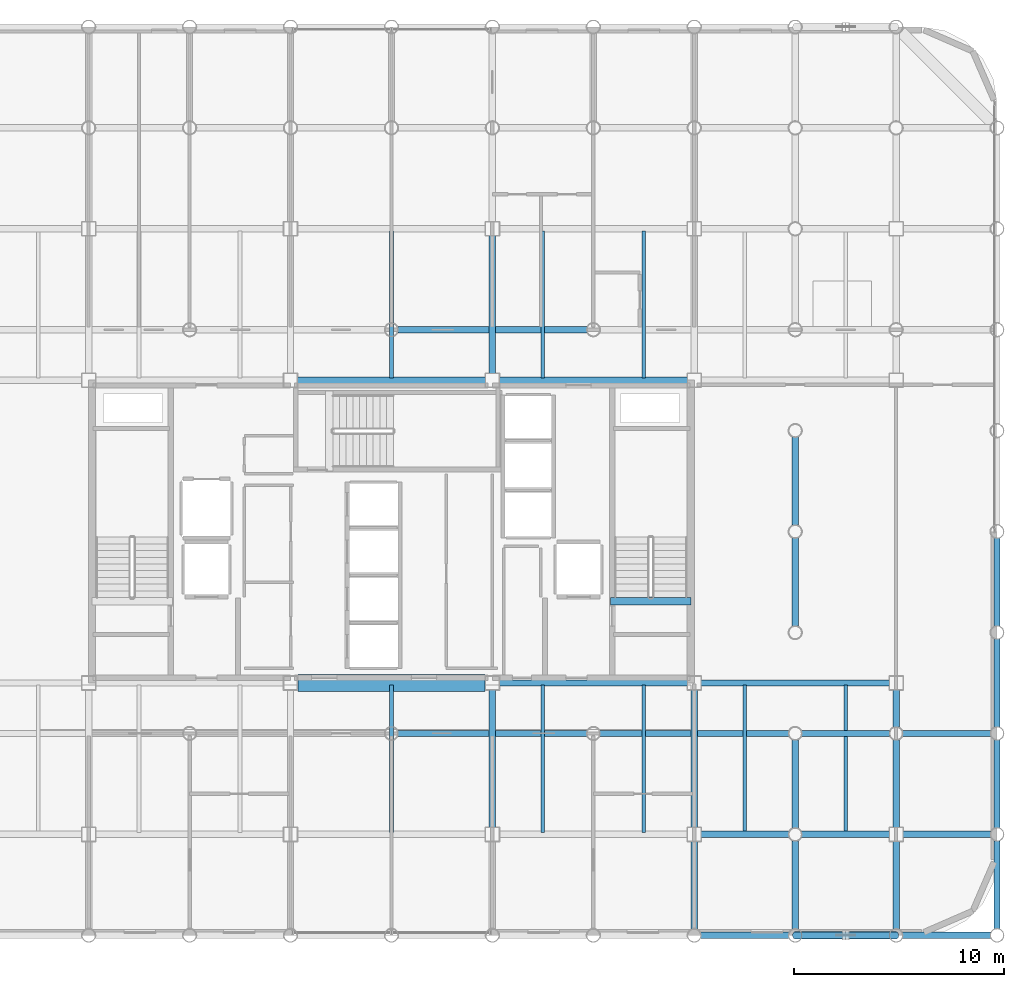
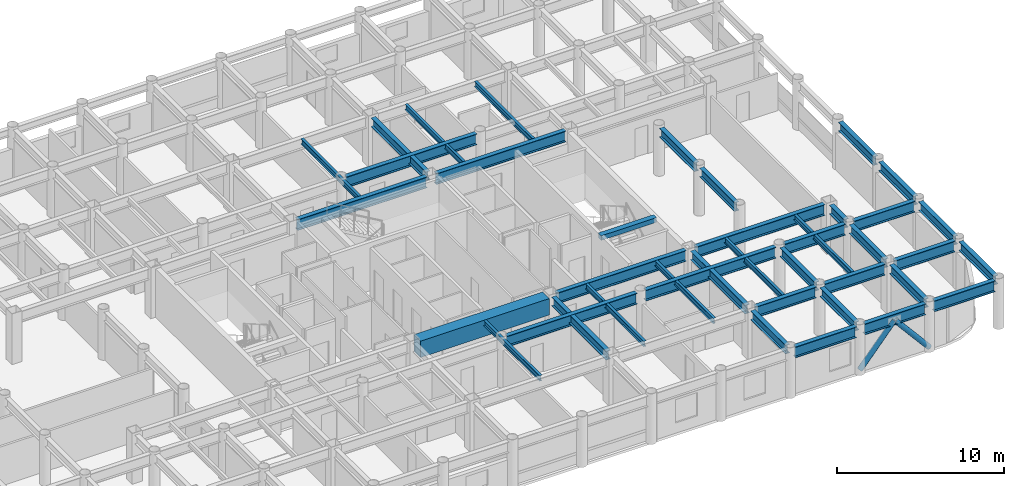
# One storey, part 7 of 21: 40 beams, 2 members.
"""IFC4 building model written with IfcOpenShell, lengths in metres."""

from ifc_helpers import new_model, si_unit, direction, frame, origin, origin_2d, place, context, subcontext, project, spatial, rectangle, hollow_circle, i_section, extrude, material, material_profile, profile_set, type_object, element, save


model = new_model("IFC4")

# Units and contexts
model_context = context("Model", 3, precision=1e-05, world=origin(), true_north=direction((0.0, 1.0)))
body_context = subcontext(model_context, "Body", "Model", "MODEL_VIEW")
ifc_project = project(units=[si_unit("LENGTHUNIT", "METRE"), si_unit("AREAUNIT", "SQUARE_METRE"), si_unit("VOLUMEUNIT", "CUBIC_METRE"), si_unit("PLANEANGLEUNIT", "RADIAN"), si_unit("MASSUNIT", "GRAM", prefix="KILO")], contexts=[model_context])

# Site, building, storey
site_placement = place(None, origin())
site = spatial("IfcSite", under=ifc_project, at=site_placement, CompositionType="ELEMENT")
building_placement = place(site_placement, origin())
building = spatial("IfcBuilding", under=site, at=building_placement, Name="Kallvorn Hotel Tower", CompositionType="ELEMENT")
storey_placement = place(building_placement, frame((0.0, 0.0, 139.60009765625)))
storey = spatial("IfcBuildingStorey", under=building, at=storey_placement, Name="L34", CompositionType="ELEMENT", Elevation=139.60009765625)

# Beams
ifc_material_1 = material(Name="Structural steel S355JR", Category="steel")
ifc_material_profile_1 = material_profile(ifc_material_1, i_section(OverallWidth=0.300048828125, OverallDepth=0.64990234375, WebThickness=0.01611328125, FlangeThickness=0.031005859375, at=origin_2d()), Name="HE 650 B")
ifc_profile_set_1 = profile_set([ifc_material_profile_1], Name="Structural steel S355JR")
beam_type_1 = type_object("IfcBeamType", Name="BM_HE650B", PredefinedType="BEAM", material=ifc_profile_set_1)
for number, where, z_axis, x_axis, name in (
    (1, (4.800048828125, -14.074951171875, 3.19482421875), (0.0, 1.0, 0.0), (-1.0, 0.0, 0.0), "L35 Primary Y-Girder 115"),
    (2, (4.800048828125, 7.52490234375, 3.19482421875), (0.0, 1.0, 0.0), (-1.0, 0.0, 0.0), "L35 Primary Y-Girder 116"),
):
    element("IfcBeam", number, at=place(storey_placement, frame(where, z_axis=z_axis, x_axis=x_axis)), inside=storey, type_object=beam_type_1, Name=name, PredefinedType="BEAM", context=body_context, shape_type="SweptSolid", body=[
        extrude(i_section(OverallWidth=0.300048828125, OverallDepth=0.64990234375, WebThickness=0.01611328125, FlangeThickness=0.031005859375, at=origin_2d()), origin(), (0.0, 0.0, 1.0), 6.550048828125),
    ])
beam_1_placement = place(storey_placement, frame((14.39990234375, -18.89501953125, 3.19482421875), z_axis=(0.0, 1.0, 0.0), x_axis=(-1.0, 0.0, 0.0)))
element("IfcBeam", 3, at=beam_1_placement, inside=storey, type_object=beam_type_1, Name="L35 Primary Y-Girder 122", PredefinedType="BEAM", context=body_context, shape_type="SweptSolid", body=[
    extrude(i_section(OverallWidth=0.300048828125, OverallDepth=0.64990234375, WebThickness=0.01611328125, FlangeThickness=0.031005859375, at=origin_2d()), origin(), (0.0, 0.0, 1.0), 4.169921875),
])
beam_2_placement = place(storey_placement, frame((14.39990234375, -14.074951171875, 3.19482421875), z_axis=(0.0, 1.0, 0.0), x_axis=(-1.0, 0.0, 0.0)))
element("IfcBeam", 4, at=beam_2_placement, inside=storey, type_object=beam_type_1, Name="L35 Primary Y-Girder 123", PredefinedType="BEAM", context=body_context, shape_type="SweptSolid", body=[
    extrude(i_section(OverallWidth=0.300048828125, OverallDepth=0.64990234375, WebThickness=0.01611328125, FlangeThickness=0.031005859375, at=origin_2d()), origin(), (0.0, 0.0, 1.0), 6.550048828125),
])
for number, where, z_axis, x_axis, name in (
    (5, (19.199951171875, -18.89501953125, 3.19482421875), (0.0, 1.0, 0.0), (-1.0, 0.0, 0.0), "L35 Primary Y-Girder 127"),
    (6, (19.199951171875, -14.094970703125, 3.19482421875), (0.0, 1.0, 0.0), (-1.0, 0.0, 0.0), "L35 Primary Y-Girder 128"),
):
    element("IfcBeam", number, at=place(storey_placement, frame(where, z_axis=z_axis, x_axis=x_axis)), inside=storey, type_object=beam_type_1, Name=name, PredefinedType="BEAM", context=body_context, shape_type="SweptSolid", body=[
        extrude(i_section(OverallWidth=0.300048828125, OverallDepth=0.64990234375, WebThickness=0.01611328125, FlangeThickness=0.031005859375, at=origin_2d()), origin(), (0.0, 0.0, 1.0), 4.18994140625),
    ])
for number, where, z_axis, x_axis, name in (
    (7, (19.199951171875, -4.4951171875, 3.19482421875), (0.0, 1.0, 0.0), (-1.0, 0.0, 0.0), "L35 Primary Y-Girder 130"),
    (8, (19.199951171875, 0.304931640625, 3.19482421875), (0.0, 1.0, 0.0), (-1.0, 0.0, 0.0), "L35 Primary Y-Girder 131"),
):
    element("IfcBeam", number, at=place(storey_placement, frame(where, z_axis=z_axis, x_axis=x_axis)), inside=storey, type_object=beam_type_1, Name=name, PredefinedType="BEAM", context=body_context, shape_type="SweptSolid", body=[
        extrude(i_section(OverallWidth=0.300048828125, OverallDepth=0.64990234375, WebThickness=0.01611328125, FlangeThickness=0.031005859375, at=origin_2d()), origin(), (0.0, 0.0, 1.0), 4.190185546875),
    ])
for number, where, z_axis, x_axis, name in (
    (9, (24.0, -18.89501953125, 3.19482421875), (0.0, 1.0, 0.0), (-1.0, 0.0, 0.0), "L35 Primary Y-Girder 136"),
    (10, (24.0, -14.074951171875, 3.19482421875), (0.0, 1.0, 0.0), (-1.0, 0.0, 0.0), "L35 Primary Y-Girder 137"),
):
    element("IfcBeam", number, at=place(storey_placement, frame(where, z_axis=z_axis, x_axis=x_axis)), inside=storey, type_object=beam_type_1, Name=name, PredefinedType="BEAM", context=body_context, shape_type="SweptSolid", body=[
        extrude(i_section(OverallWidth=0.300048828125, OverallDepth=0.64990234375, WebThickness=0.01611328125, FlangeThickness=0.031005859375, at=origin_2d()), origin(), (0.0, 0.0, 1.0), 4.169921875),
    ])
beam_3_placement = place(storey_placement, frame((24.0, -9.294921875, 3.19482421875), z_axis=(0.0, 1.0, 0.0), x_axis=(-1.0, 0.0, 0.0)))
element("IfcBeam", 11, at=beam_3_placement, inside=storey, type_object=beam_type_1, Name="L35 Primary Y-Girder 138", PredefinedType="BEAM", context=body_context, shape_type="SweptSolid", body=[
    extrude(i_section(OverallWidth=0.300048828125, OverallDepth=0.64990234375, WebThickness=0.01611328125, FlangeThickness=0.031005859375, at=origin_2d()), origin(), (0.0, 0.0, 1.0), 1.77001953125),
])
for number, where, z_axis, x_axis, name in (
    (12, (28.800048828125, -18.89501953125, 3.19482421875), (0.0, 1.0, 0.0), (-1.0, 0.0, 0.0), "L35 Primary Y-Girder 143"),
    (13, (28.800048828125, -14.094970703125, 3.19482421875), (0.0, 1.0, 0.0), (-1.0, 0.0, 0.0), "L35 Primary Y-Girder 144"),
    (14, (28.800048828125, -9.294921875, 3.19482421875), (0.0, 1.0, 0.0), (-1.0, 0.0, 0.0), "L35 Primary Y-Girder 145"),
):
    element("IfcBeam", number, at=place(storey_placement, frame(where, z_axis=z_axis, x_axis=x_axis)), inside=storey, type_object=beam_type_1, Name=name, PredefinedType="BEAM", context=body_context, shape_type="SweptSolid", body=[
        extrude(i_section(OverallWidth=0.300048828125, OverallDepth=0.64990234375, WebThickness=0.01611328125, FlangeThickness=0.031005859375, at=origin_2d()), origin(), (0.0, 0.0, 1.0), 4.18994140625),
    ])
beam_4_placement = place(storey_placement, frame((28.800048828125, -4.4951171875, 3.19482421875), z_axis=(0.0, 1.0, 0.0), x_axis=(-1.0, 0.0, 0.0)))
element("IfcBeam", 15, at=beam_4_placement, inside=storey, type_object=beam_type_1, Name="L35 Primary Y-Girder 146", PredefinedType="BEAM", context=body_context, shape_type="SweptSolid", body=[
    extrude(i_section(OverallWidth=0.300048828125, OverallDepth=0.64990234375, WebThickness=0.01611328125, FlangeThickness=0.031005859375, at=origin_2d()), origin(), (0.0, 0.0, 1.0), 4.190185546875),
])
ifc_material_2 = material(Name="Structural steel S355JR", Category="steel")
ifc_material_profile_2 = material_profile(ifc_material_2, i_section(OverallWidth=0.300048828125, OverallDepth=0.800048828125, WebThickness=0.017578125, FlangeThickness=0.032958984375, at=origin_2d()), Name="HE 800 B")
ifc_profile_set_2 = profile_set([ifc_material_profile_2], Name="Structural steel S355JR")
beam_type_2 = type_object("IfcBeamType", Name="BM_HE800B", PredefinedType="BEAM", material=ifc_profile_set_2)
beam_5_placement = place(storey_placement, frame((14.705078125, -19.199951171875, 3.119873046875), z_axis=(1.0, 0.0, 0.0), x_axis=(0.0, 1.0, 0.0)))
element("IfcBeam", 16, at=beam_5_placement, inside=storey, type_object=beam_type_2, Name="L35 Primary X-Girder 10", PredefinedType="BEAM", context=body_context, shape_type="SweptSolid", body=[
    extrude(i_section(OverallWidth=0.300048828125, OverallDepth=0.800048828125, WebThickness=0.017578125, FlangeThickness=0.032958984375, at=origin_2d()), origin(), (0.0, 0.0, 1.0), 4.18994140625),
])
for number, where, z_axis, x_axis, name in (
    (17, (19.5048828125, -19.199951171875, 3.119873046875), (1.0, 0.0, 0.0), (0.0, 1.0, 0.0), "L35 Primary X-Girder 11"),
    (18, (24.304931640625, -19.199951171875, 3.119873046875), (1.0, 0.0, 0.0), (0.0, 1.0, 0.0), "L35 Primary X-Girder 12"),
):
    element("IfcBeam", number, at=place(storey_placement, frame(where, z_axis=z_axis, x_axis=x_axis)), inside=storey, type_object=beam_type_2, Name=name, PredefinedType="BEAM", context=body_context, shape_type="SweptSolid", body=[
        extrude(i_section(OverallWidth=0.300048828125, OverallDepth=0.800048828125, WebThickness=0.017578125, FlangeThickness=0.032958984375, at=origin_2d()), origin(), (0.0, 0.0, 1.0), 4.190185546875),
    ])
beam_6_placement = place(storey_placement, frame((14.72509765625, -14.39990234375, 3.119873046875), z_axis=(1.0, 0.0, 0.0), x_axis=(0.0, 1.0, 0.0)))
element("IfcBeam", 19, at=beam_6_placement, inside=storey, type_object=beam_type_2, Name="L35 Primary X-Girder 20", PredefinedType="BEAM", context=body_context, shape_type="SweptSolid", body=[
    extrude(i_section(OverallWidth=0.300048828125, OverallDepth=0.800048828125, WebThickness=0.017578125, FlangeThickness=0.032958984375, at=origin_2d()), origin(), (0.0, 0.0, 1.0), 4.169921875),
])
for number, where, z_axis, x_axis, name in (
    (20, (19.5048828125, -14.39990234375, 3.119873046875), (1.0, 0.0, 0.0), (0.0, 1.0, 0.0), "L35 Primary X-Girder 21"),
    (21, (24.324951171875, -14.39990234375, 3.119873046875), (1.0, 0.0, 0.0), (0.0, 1.0, 0.0), "L35 Primary X-Girder 22"),
):
    element("IfcBeam", number, at=place(storey_placement, frame(where, z_axis=z_axis, x_axis=x_axis)), inside=storey, type_object=beam_type_2, Name=name, PredefinedType="BEAM", context=body_context, shape_type="SweptSolid", body=[
        extrude(i_section(OverallWidth=0.300048828125, OverallDepth=0.800048828125, WebThickness=0.017578125, FlangeThickness=0.032958984375, at=origin_2d()), origin(), (0.0, 0.0, 1.0), 4.170166015625),
    ])
for number, where, z_axis, x_axis, name in (
    (22, (0.304931640625, -9.60009765625, 3.119873046875), (1.0, 0.0, 0.0), (0.0, 1.0, 0.0), "L35 Primary X-Girder 28"),
    (23, (9.905029296875, -9.60009765625, 3.119873046875), (1.0, 0.0, 0.0), (0.0, 1.0, 0.0), "L35 Primary X-Girder 29"),
):
    element("IfcBeam", number, at=place(storey_placement, frame(where, z_axis=z_axis, x_axis=x_axis)), inside=storey, type_object=beam_type_2, Name=name, PredefinedType="BEAM", context=body_context, shape_type="SweptSolid", body=[
        extrude(i_section(OverallWidth=0.300048828125, OverallDepth=0.800048828125, WebThickness=0.017578125, FlangeThickness=0.032958984375, at=origin_2d()), origin(), (0.0, 0.0, 1.0), 8.989990234375),
    ])
for number, where, z_axis, x_axis, name in (
    (24, (19.5048828125, -9.60009765625, 3.119873046875), (1.0, 0.0, 0.0), (0.0, 1.0, 0.0), "L35 Primary X-Girder 30"),
    (25, (24.304931640625, -9.60009765625, 3.119873046875), (1.0, 0.0, 0.0), (0.0, 1.0, 0.0), "L35 Primary X-Girder 31"),
):
    element("IfcBeam", number, at=place(storey_placement, frame(where, z_axis=z_axis, x_axis=x_axis)), inside=storey, type_object=beam_type_2, Name=name, PredefinedType="BEAM", context=body_context, shape_type="SweptSolid", body=[
        extrude(i_section(OverallWidth=0.300048828125, OverallDepth=0.800048828125, WebThickness=0.017578125, FlangeThickness=0.032958984375, at=origin_2d()), origin(), (0.0, 0.0, 1.0), 4.190185546875),
    ])
for number, where, z_axis, x_axis, name in (
    (26, (5.125, -7.199951171875, 3.119873046875), (1.0, 0.0, 0.0), (0.0, 1.0, 0.0), "L35 Primary X-Girder 34"),
    (27, (14.72509765625, -7.199951171875, 3.119873046875), (1.0, 0.0, 0.0), (0.0, 1.0, 0.0), "L35 Primary X-Girder 35"),
):
    element("IfcBeam", number, at=place(storey_placement, frame(where, z_axis=z_axis, x_axis=x_axis)), inside=storey, type_object=beam_type_2, Name=name, PredefinedType="BEAM", context=body_context, shape_type="SweptSolid", body=[
        extrude(i_section(OverallWidth=0.300048828125, OverallDepth=0.800048828125, WebThickness=0.017578125, FlangeThickness=0.032958984375, at=origin_2d()), origin(), (0.0, 0.0, 1.0), 8.949951171875),
    ])
beam_7_placement = place(storey_placement, frame((-4.47509765625, 7.199951171875, 3.119873046875), z_axis=(1.0, 0.0, 0.0), x_axis=(0.0, 1.0, 0.0)))
element("IfcBeam", 28, at=beam_7_placement, inside=storey, type_object=beam_type_2, Name="L35 Primary X-Girder 38", PredefinedType="BEAM", context=body_context, shape_type="SweptSolid", body=[
    extrude(i_section(OverallWidth=0.300048828125, OverallDepth=0.800048828125, WebThickness=0.017578125, FlangeThickness=0.032958984375, at=origin_2d()), origin(), (0.0, 0.0, 1.0), 8.9501953125),
])
beam_8_placement = place(storey_placement, frame((5.125, 7.199951171875, 3.119873046875), z_axis=(1.0, 0.0, 0.0), x_axis=(0.0, 1.0, 0.0)))
element("IfcBeam", 29, at=beam_8_placement, inside=storey, type_object=beam_type_2, Name="L35 Primary X-Girder 39", PredefinedType="BEAM", context=body_context, shape_type="SweptSolid", body=[
    extrude(i_section(OverallWidth=0.300048828125, OverallDepth=0.800048828125, WebThickness=0.017578125, FlangeThickness=0.032958984375, at=origin_2d()), origin(), (0.0, 0.0, 1.0), 8.949951171875),
])
beam_9_placement = place(storey_placement, frame((0.304931640625, 9.60009765625, 3.119873046875), z_axis=(1.0, 0.0, 0.0), x_axis=(0.0, 1.0, 0.0)))
element("IfcBeam", 30, at=beam_9_placement, inside=storey, type_object=beam_type_2, Name="L35 Primary X-Girder 46", PredefinedType="BEAM", context=body_context, shape_type="SweptSolid", body=[
    extrude(i_section(OverallWidth=0.300048828125, OverallDepth=0.800048828125, WebThickness=0.017578125, FlangeThickness=0.032958984375, at=origin_2d()), origin(), (0.0, 0.0, 1.0), 8.989990234375),
])
ifc_material_3 = material(Name="Structural steel S355JR", Category="steel")
ifc_material_profile_3 = material_profile(ifc_material_3, i_section(OverallWidth=0.179931640625, OverallDepth=0.39990234375, WebThickness=0.008544921875, FlangeThickness=0.013427734375, at=origin_2d()), Name="IPE 400")
ifc_profile_set_3 = profile_set([ifc_material_profile_3], Name="Structural steel S355JR")
beam_type_3 = type_object("IfcBeamType", Name="BM_IPE400", PredefinedType="JOIST", material=ifc_profile_set_3)
for number, where, z_axis, x_axis, name in (
    (31, (0.0, -14.300048828125, 3.31982421875), (0.0, 1.0, 0.0), (-1.0, 0.0, 0.0), "L35 Secondary Composite Joist 200"),
    (32, (0.0, 7.300048828125, 3.31982421875), (0.0, 1.0, 0.0), (-1.0, 0.0, 0.0), "L35 Secondary Composite Joist 201"),
    (33, (7.199951171875, -14.300048828125, 3.31982421875), (0.0, 1.0, 0.0), (-1.0, 0.0, 0.0), "L35 Secondary Composite Joist 202"),
    (34, (7.199951171875, 7.300048828125, 3.31982421875), (0.0, 1.0, 0.0), (-1.0, 0.0, 0.0), "L35 Secondary Composite Joist 203"),
    (35, (12.0, -14.300048828125, 3.31982421875), (0.0, 1.0, 0.0), (-1.0, 0.0, 0.0), "L35 Secondary Composite Joist 204"),
    (36, (12.0, 7.300048828125, 3.31982421875), (0.0, 1.0, 0.0), (-1.0, 0.0, 0.0), "L35 Secondary Composite Joist 205"),
    (37, (16.800048828125, -14.300048828125, 3.31982421875), (0.0, 1.0, 0.0), (-1.0, 0.0, 0.0), "L35 Secondary Composite Joist 206"),
    (38, (21.60009765625, -14.300048828125, 3.31982421875), (0.0, 1.0, 0.0), (-1.0, 0.0, 0.0), "L35 Secondary Composite Joist 208"),
):
    element("IfcBeam", number, at=place(storey_placement, frame(where, z_axis=z_axis, x_axis=x_axis)), inside=storey, type_object=beam_type_3, Name=name, PredefinedType="JOIST", context=body_context, shape_type="SweptSolid", body=[
        extrude(i_section(OverallWidth=0.179931640625, OverallDepth=0.39990234375, WebThickness=0.008544921875, FlangeThickness=0.013427734375, at=origin_2d()), origin(), (0.0, 0.0, 1.0), 7.0),
    ])
ifc_material_4 = material(Name="Concrete C50/60", Category="concrete")
ifc_material_profile_4 = material_profile(ifc_material_4, rectangle(XDim=0.360107421875, YDim=0.340087890625, at=origin_2d()), Name="RC 360x340")
ifc_profile_set_4 = profile_set([ifc_material_profile_4], Name="Concrete C50/60")
beam_type_4 = type_object("IfcBeamType", Name="BM_RC_400x360", PredefinedType="BEAM", material=ifc_profile_set_4)
beam_10_placement = place(storey_placement, frame((14.239990234375, -3.31005859375, 3.349853515625), z_axis=(-1.0, 0.0, 0.0), x_axis=(0.0, -1.0, 0.0)))
element("IfcBeam", 39, at=beam_10_placement, inside=storey, type_object=beam_type_4, Name="L35 Stair ST2 Arrival Trimmer Beam", PredefinedType="BEAM", context=body_context, shape_type="SweptSolid", body=[
    extrude(rectangle(XDim=0.360107421875, YDim=0.340087890625, at=origin_2d()), origin(), (0.0, 0.0, 1.0), 3.820068359375),
])
ifc_material_5 = material(Name="Concrete C50/60", Category="concrete")
ifc_material_profile_5 = material_profile(ifc_material_5, rectangle(XDim=0.800048828125, YDim=1.199951171875, at=origin_2d()), Name="RC 800x1200")
ifc_profile_set_5 = profile_set([ifc_material_profile_5], Name="Concrete C50/60")
beam_type_5 = type_object("IfcBeamType", Name="BM_RC_800x1200", PredefinedType="T_BEAM", material=ifc_profile_set_5)
beam_11_placement = place(storey_placement, frame((-4.449951171875, -7.199951171875, 2.919921875), z_axis=(1.0, 0.0, 0.0), x_axis=(0.0, 1.0, 0.0)))
element("IfcBeam", 40, at=beam_11_placement, inside=storey, type_object=beam_type_5, Name="L34 Core Coupling Beam South", PredefinedType="T_BEAM", context=body_context, shape_type="SweptSolid", body=[
    extrude(rectangle(XDim=0.800048828125, YDim=1.199951171875, at=origin_2d()), origin(), (0.0, 0.0, 1.0), 8.89990234375),
])

# Members
ifc_material_6 = material(Name="Structural steel S355J2H", Category="steel")
ifc_material_profile_6 = material_profile(ifc_material_6, hollow_circle(Radius=0.177734375, WallThickness=0.01416015625, at=origin_2d()), Name="CHS 355.6x14.2")
ifc_profile_set_6 = profile_set([ifc_material_profile_6], Name="Structural steel S355J2H")
member_type = type_object("IfcMemberType", Name="MBR_EXO_CHS355", PredefinedType="BRACE", material=ifc_profile_set_6)
for number, where, z_axis, x_axis, name in (
    (41, (19.212890625, -19.199951171875, 0.1953125), (0.646833296797, 0.0, 0.762631422218), (0.0, 1.0, 0.0), "L34 Exoskeleton K-Brace S2A"),
    (42, (23.987060546875, -19.199951171875, 0.1953125), (-0.646833296797, 0.0, 0.762631422218), (0.0, -1.0, 0.0), "L34 Exoskeleton K-Brace S2B"),
):
    element("IfcMember", number, at=place(storey_placement, frame(where, z_axis=z_axis, x_axis=x_axis)), inside=storey, type_object=member_type, Name=name, PredefinedType="BRACE", context=body_context, shape_type="SweptSolid", body=[
        extrude(hollow_circle(Radius=0.177734375, WallThickness=0.01416015625, at=origin_2d()), origin(), (0.0, 0.0, 1.0), 3.670654296875),
    ])

save(model, "model.ifc")
